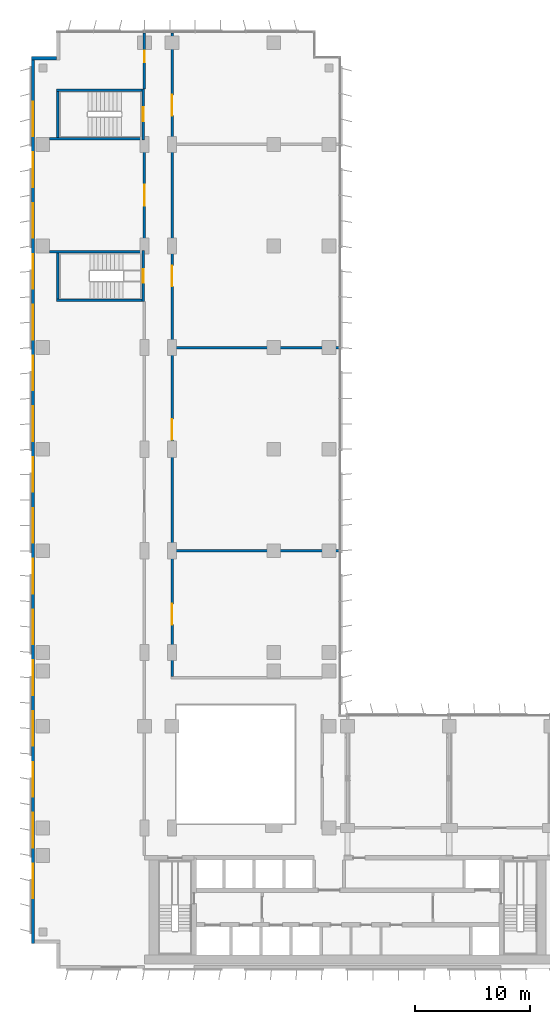
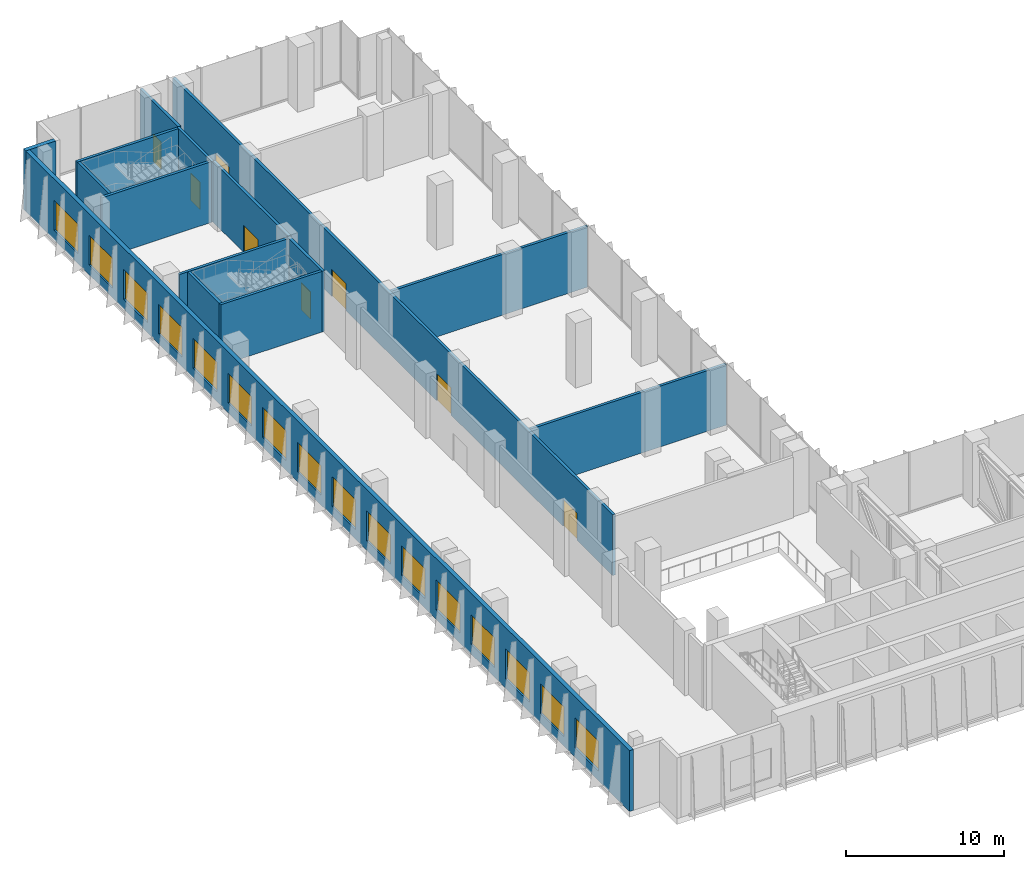
# One storey, part 14 of 21: 16 windows, 15 walls, 8 doors, 24 openings.
"""IFC4 building model written with IfcOpenShell, lengths in metres."""

from ifc_helpers import new_model, si_unit, direction, frame, frame_2d, origin, place, context, subcontext, project, spatial, rectangle, extrude, material, layer, layer_set, type_object, element, fill, save


model = new_model("IFC4")

# Units and contexts
model_context = context("Model", 3, precision=1e-05, world=origin(), true_north=direction((0.0, 1.0)))
body_context = subcontext(model_context, "Body", "Model", "MODEL_VIEW")
ifc_project = project(units=[si_unit("LENGTHUNIT", "METRE"), si_unit("AREAUNIT", "SQUARE_METRE"), si_unit("VOLUMEUNIT", "CUBIC_METRE"), si_unit("PLANEANGLEUNIT", "RADIAN"), si_unit("MASSUNIT", "GRAM", prefix="KILO")], contexts=[model_context])

# Site, building, storey
site_placement = place(None, origin())
site = spatial("IfcSite", under=ifc_project, at=site_placement, CompositionType="ELEMENT")
building_placement = place(site_placement, origin())
building = spatial("IfcBuilding", under=site, at=building_placement, Name="Kemantara Hotel Tower", CompositionType="ELEMENT")
storey_placement = place(building_placement, frame((0.0, 0.0, 133.300048828125)))
storey = spatial("IfcBuildingStorey", under=building, at=storey_placement, Name="L32", CompositionType="ELEMENT", Elevation=133.300048828125)

# Wall
ifc_material_1 = material(Name="Bronze anodised aluminium cladding on insulated steel stud wall", Category="steel")
ifc_layer_1 = layer(ifc_material_1, 0.300048828125)
ifc_layer_set_1 = layer_set([ifc_layer_1], Name="Bronze anodised aluminium cladding on insulated steel stud wall")
wall_type_1 = type_object("IfcWallType", Name="BRONZE METAL-CLAD EXTERNAL WALL 300", PredefinedType="STANDARD", material=ifc_layer_set_1)
wall_1_placement = place(storey_placement, frame((2.199951171875, 78.85009765625, 0.0), z_axis=(0.0, 0.0, 1.0), x_axis=(-1.0, 0.0, 0.0)))
element("IfcWall", 1, at=wall_1_placement, inside=storey, type_object=wall_type_1, Name="EXTERNAL WALL L32 T2-R03", PredefinedType="STANDARD", context=body_context, shape_type="SweptSolid", body=[
    extrude(rectangle(XDim=2.199951171875, YDim=0.300048828125, at=frame_2d((1.10009765625, 0.0))), origin(), (0.0, 0.0, 1.0), 4.699951171875),
])

# Wall, openings, windows
wall_2_placement = place(storey_placement, frame((0.14990234375, 78.699951171875, 0.0), z_axis=(0.0, 0.0, 1.0), x_axis=(0.0, -1.0, 0.0)))
wall_2 = element("IfcWall", 2, at=wall_2_placement, inside=storey, type_object=wall_type_1, Name="EXTERNAL WALL L32 T2-R04", PredefinedType="STANDARD", context=body_context, shape_type="SweptSolid", body=[
    extrude(rectangle(XDim=76.5, YDim=0.300048828125, at=frame_2d((38.25, 0.0))), origin(), (0.0, 0.0, 1.0), 4.699951171875),
])
opening_1_placement = place(wall_2_placement, frame((3.60009765625, 0.0, 0.75)))
opening_1 = element("IfcOpeningElement", 3, at=opening_1_placement, cuts=wall_2, Name="Opening W1", PredefinedType="OPENING", context=body_context, shape_type="SweptSolid", body=[
    extrude(rectangle(XDim=3.0, YDim=2.300048828125, at=frame_2d((1.5, 1.14990234375))), frame((0.0, 0.159912109375, 0.0), z_axis=(0.0, -1.0, 0.0), x_axis=(1.0, 0.0, 0.0)), (0.0, 0.0, 1.0), 0.320068359375),
])
opening_2_placement = place(wall_2_placement, frame((8.0, 0.0, 0.75)))
opening_2 = element("IfcOpeningElement", 4, at=opening_2_placement, cuts=wall_2, Name="Opening W1", PredefinedType="OPENING", context=body_context, shape_type="SweptSolid", body=[
    extrude(rectangle(XDim=3.0, YDim=2.300048828125, at=frame_2d((1.5, 1.14990234375))), frame((0.0, 0.159912109375, 0.0), z_axis=(0.0, -1.0, 0.0), x_axis=(1.0, 0.0, 0.0)), (0.0, 0.0, 1.0), 0.320068359375),
])
opening_3_placement = place(wall_2_placement, frame((12.39990234375, 0.0, 0.75)))
opening_3 = element("IfcOpeningElement", 5, at=opening_3_placement, cuts=wall_2, Name="Opening W1", PredefinedType="OPENING", context=body_context, shape_type="SweptSolid", body=[
    extrude(rectangle(XDim=3.0, YDim=2.300048828125, at=frame_2d((1.5, 1.14990234375))), frame((0.0, 0.159912109375, 0.0), z_axis=(0.0, -1.0, 0.0), x_axis=(1.0, 0.0, 0.0)), (0.0, 0.0, 1.0), 0.320068359375),
])
opening_4_placement = place(wall_2_placement, frame((16.800048828125, 0.0, 0.75)))
opening_4 = element("IfcOpeningElement", 6, at=opening_4_placement, cuts=wall_2, Name="Opening W1", PredefinedType="OPENING", context=body_context, shape_type="SweptSolid", body=[
    extrude(rectangle(XDim=3.0, YDim=2.300048828125, at=frame_2d((1.5, 1.14990234375))), frame((0.0, 0.159912109375, 0.0), z_axis=(0.0, -1.0, 0.0), x_axis=(1.0, 0.0, 0.0)), (0.0, 0.0, 1.0), 0.320068359375),
])
opening_5_placement = place(wall_2_placement, frame((21.199951171875, 0.0, 0.75)))
opening_5 = element("IfcOpeningElement", 7, at=opening_5_placement, cuts=wall_2, Name="Opening W1", PredefinedType="OPENING", context=body_context, shape_type="SweptSolid", body=[
    extrude(rectangle(XDim=3.0, YDim=2.300048828125, at=frame_2d((1.5, 1.14990234375))), frame((0.0, 0.159912109375, 0.0), z_axis=(0.0, -1.0, 0.0), x_axis=(1.0, 0.0, 0.0)), (0.0, 0.0, 1.0), 0.320068359375),
])
opening_6_placement = place(wall_2_placement, frame((25.60009765625, 0.0, 0.75)))
opening_6 = element("IfcOpeningElement", 8, at=opening_6_placement, cuts=wall_2, Name="Opening W1", PredefinedType="OPENING", context=body_context, shape_type="SweptSolid", body=[
    extrude(rectangle(XDim=3.0, YDim=2.300048828125, at=frame_2d((1.5, 1.14990234375))), frame((0.0, 0.159912109375, 0.0), z_axis=(0.0, -1.0, 0.0), x_axis=(1.0, 0.0, 0.0)), (0.0, 0.0, 1.0), 0.320068359375),
])
opening_7_placement = place(wall_2_placement, frame((30.0, 0.0, 0.75)))
opening_7 = element("IfcOpeningElement", 9, at=opening_7_placement, cuts=wall_2, Name="Opening W1", PredefinedType="OPENING", context=body_context, shape_type="SweptSolid", body=[
    extrude(rectangle(XDim=3.0, YDim=2.300048828125, at=frame_2d((1.5, 1.14990234375))), frame((0.0, 0.159912109375, 0.0), z_axis=(0.0, -1.0, 0.0), x_axis=(1.0, 0.0, 0.0)), (0.0, 0.0, 1.0), 0.320068359375),
])
opening_8_placement = place(wall_2_placement, frame((34.39990234375, 0.0, 0.75)))
opening_8 = element("IfcOpeningElement", 10, at=opening_8_placement, cuts=wall_2, Name="Opening W1", PredefinedType="OPENING", context=body_context, shape_type="SweptSolid", body=[
    extrude(rectangle(XDim=3.0, YDim=2.300048828125, at=frame_2d((1.5, 1.14990234375))), frame((0.0, 0.159912109375, 0.0), z_axis=(0.0, -1.0, 0.0), x_axis=(1.0, 0.0, 0.0)), (0.0, 0.0, 1.0), 0.320068359375),
])
opening_9_placement = place(wall_2_placement, frame((38.800048828125, 0.0, 0.75)))
opening_9 = element("IfcOpeningElement", 11, at=opening_9_placement, cuts=wall_2, Name="Opening W1", PredefinedType="OPENING", context=body_context, shape_type="SweptSolid", body=[
    extrude(rectangle(XDim=3.0, YDim=2.300048828125, at=frame_2d((1.5, 1.14990234375))), frame((0.0, 0.159912109375, 0.0), z_axis=(0.0, -1.0, 0.0), x_axis=(1.0, 0.0, 0.0)), (0.0, 0.0, 1.0), 0.320068359375),
])
opening_10_placement = place(wall_2_placement, frame((43.199951171875, 0.0, 0.75)))
opening_10 = element("IfcOpeningElement", 12, at=opening_10_placement, cuts=wall_2, Name="Opening W1", PredefinedType="OPENING", context=body_context, shape_type="SweptSolid", body=[
    extrude(rectangle(XDim=3.0, YDim=2.300048828125, at=frame_2d((1.5, 1.14990234375))), frame((0.0, 0.159912109375, 0.0), z_axis=(0.0, -1.0, 0.0), x_axis=(1.0, 0.0, 0.0)), (0.0, 0.0, 1.0), 0.320068359375),
])
opening_11_placement = place(wall_2_placement, frame((47.60009765625, 0.0, 0.75)))
opening_11 = element("IfcOpeningElement", 13, at=opening_11_placement, cuts=wall_2, Name="Opening W1", PredefinedType="OPENING", context=body_context, shape_type="SweptSolid", body=[
    extrude(rectangle(XDim=3.0, YDim=2.300048828125, at=frame_2d((1.5, 1.14990234375))), frame((0.0, 0.159912109375, 0.0), z_axis=(0.0, -1.0, 0.0), x_axis=(1.0, 0.0, 0.0)), (0.0, 0.0, 1.0), 0.320068359375),
])
opening_12_placement = place(wall_2_placement, frame((52.0, 0.0, 0.75)))
opening_12 = element("IfcOpeningElement", 14, at=opening_12_placement, cuts=wall_2, Name="Opening W1", PredefinedType="OPENING", context=body_context, shape_type="SweptSolid", body=[
    extrude(rectangle(XDim=3.0, YDim=2.300048828125, at=frame_2d((1.5, 1.14990234375))), frame((0.0, 0.159912109375, 0.0), z_axis=(0.0, -1.0, 0.0), x_axis=(1.0, 0.0, 0.0)), (0.0, 0.0, 1.0), 0.320068359375),
])
opening_13_placement = place(wall_2_placement, frame((56.39990234375, 0.0, 0.75)))
opening_13 = element("IfcOpeningElement", 15, at=opening_13_placement, cuts=wall_2, Name="Opening W1", PredefinedType="OPENING", context=body_context, shape_type="SweptSolid", body=[
    extrude(rectangle(XDim=3.0, YDim=2.300048828125, at=frame_2d((1.5, 1.14990234375))), frame((0.0, 0.159912109375, 0.0), z_axis=(0.0, -1.0, 0.0), x_axis=(1.0, 0.0, 0.0)), (0.0, 0.0, 1.0), 0.320068359375),
])
opening_14_placement = place(wall_2_placement, frame((60.800048828125, 0.0, 0.75)))
opening_14 = element("IfcOpeningElement", 16, at=opening_14_placement, cuts=wall_2, Name="Opening W1", PredefinedType="OPENING", context=body_context, shape_type="SweptSolid", body=[
    extrude(rectangle(XDim=3.0, YDim=2.300048828125, at=frame_2d((1.5, 1.14990234375))), frame((0.0, 0.159912109375, 0.0), z_axis=(0.0, -1.0, 0.0), x_axis=(1.0, 0.0, 0.0)), (0.0, 0.0, 1.0), 0.320068359375),
])
opening_15_placement = place(wall_2_placement, frame((65.199951171875, 0.0, 0.75)))
opening_15 = element("IfcOpeningElement", 17, at=opening_15_placement, cuts=wall_2, Name="Opening W1", PredefinedType="OPENING", context=body_context, shape_type="SweptSolid", body=[
    extrude(rectangle(XDim=3.0, YDim=2.300048828125, at=frame_2d((1.5, 1.14990234375))), frame((0.0, 0.159912109375, 0.0), z_axis=(0.0, -1.0, 0.0), x_axis=(1.0, 0.0, 0.0)), (0.0, 0.0, 1.0), 0.320068359375),
])
opening_16_placement = place(wall_2_placement, frame((69.60009765625, 0.0, 0.75)))
opening_16 = element("IfcOpeningElement", 18, at=opening_16_placement, cuts=wall_2, Name="Opening W1", PredefinedType="OPENING", context=body_context, shape_type="SweptSolid", body=[
    extrude(rectangle(XDim=3.0, YDim=2.300048828125, at=frame_2d((1.5, 1.14990234375))), frame((0.0, 0.159912109375, 0.0), z_axis=(0.0, -1.0, 0.0), x_axis=(1.0, 0.0, 0.0)), (0.0, 0.0, 1.0), 0.320068359375),
])
ifc_material_2 = material(Name="Low-E tinted double insulated glass in bronze anodised aluminium frame", Category="aluminium")
window_type = type_object("IfcWindowType", Name="CHICAGO WINDOW, TRIPLE PANEL 3000x2300", PartitioningType="TRIPLE_PANEL_VERTICAL", PredefinedType="WINDOW", material=ifc_material_2)
window_1_placement = place(opening_1_placement, origin())
window_1 = element("IfcWindow", 19, at=window_1_placement, inside=storey, type_object=window_type, Name="CHICAGO WINDOW L32 T2-R04-54", OverallHeight=2.300048828125, OverallWidth=3.0, PartitioningType="SINGLE_PANEL", PredefinedType="WINDOW", context=body_context, shape_type="SweptSolid", body=[
    extrude(rectangle(XDim=3.0, YDim=2.300048828125, at=frame_2d((1.5, 1.14990234375))), frame((0.0, 0.030029296875, 0.0), z_axis=(0.0, -1.0, 0.0), x_axis=(1.0, 0.0, 0.0)), (0.0, 0.0, 1.0), 0.06005859375),
])
fill(opening_1, window_1)
window_2_placement = place(opening_2_placement, origin())
window_2 = element("IfcWindow", 20, at=window_2_placement, inside=storey, type_object=window_type, Name="CHICAGO WINDOW L32 T2-R04-98", OverallHeight=2.300048828125, OverallWidth=3.0, PartitioningType="SINGLE_PANEL", PredefinedType="WINDOW", context=body_context, shape_type="SweptSolid", body=[
    extrude(rectangle(XDim=3.0, YDim=2.300048828125, at=frame_2d((1.5, 1.14990234375))), frame((0.0, 0.030029296875, 0.0), z_axis=(0.0, -1.0, 0.0), x_axis=(1.0, 0.0, 0.0)), (0.0, 0.0, 1.0), 0.06005859375),
])
fill(opening_2, window_2)
window_3_placement = place(opening_3_placement, origin())
window_3 = element("IfcWindow", 21, at=window_3_placement, inside=storey, type_object=window_type, Name="CHICAGO WINDOW L32 T2-R04-142", OverallHeight=2.300048828125, OverallWidth=3.0, PartitioningType="SINGLE_PANEL", PredefinedType="WINDOW", context=body_context, shape_type="SweptSolid", body=[
    extrude(rectangle(XDim=3.0, YDim=2.300048828125, at=frame_2d((1.5, 1.14990234375))), frame((0.0, 0.030029296875, 0.0), z_axis=(0.0, -1.0, 0.0), x_axis=(1.0, 0.0, 0.0)), (0.0, 0.0, 1.0), 0.06005859375),
])
fill(opening_3, window_3)
window_4_placement = place(opening_4_placement, origin())
window_4 = element("IfcWindow", 22, at=window_4_placement, inside=storey, type_object=window_type, Name="CHICAGO WINDOW L32 T2-R04-186", OverallHeight=2.300048828125, OverallWidth=3.0, PartitioningType="SINGLE_PANEL", PredefinedType="WINDOW", context=body_context, shape_type="SweptSolid", body=[
    extrude(rectangle(XDim=3.0, YDim=2.300048828125, at=frame_2d((1.5, 1.14990234375))), frame((0.0, 0.030029296875, 0.0), z_axis=(0.0, -1.0, 0.0), x_axis=(1.0, 0.0, 0.0)), (0.0, 0.0, 1.0), 0.06005859375),
])
fill(opening_4, window_4)
window_5_placement = place(opening_5_placement, origin())
window_5 = element("IfcWindow", 23, at=window_5_placement, inside=storey, type_object=window_type, Name="CHICAGO WINDOW L32 T2-R04-230", OverallHeight=2.300048828125, OverallWidth=3.0, PartitioningType="SINGLE_PANEL", PredefinedType="WINDOW", context=body_context, shape_type="SweptSolid", body=[
    extrude(rectangle(XDim=3.0, YDim=2.300048828125, at=frame_2d((1.5, 1.14990234375))), frame((0.0, 0.030029296875, 0.0), z_axis=(0.0, -1.0, 0.0), x_axis=(1.0, 0.0, 0.0)), (0.0, 0.0, 1.0), 0.06005859375),
])
fill(opening_5, window_5)
window_6_placement = place(opening_6_placement, origin())
window_6 = element("IfcWindow", 24, at=window_6_placement, inside=storey, type_object=window_type, Name="CHICAGO WINDOW L32 T2-R04-274", OverallHeight=2.300048828125, OverallWidth=3.0, PartitioningType="SINGLE_PANEL", PredefinedType="WINDOW", context=body_context, shape_type="SweptSolid", body=[
    extrude(rectangle(XDim=3.0, YDim=2.300048828125, at=frame_2d((1.5, 1.14990234375))), frame((0.0, 0.030029296875, 0.0), z_axis=(0.0, -1.0, 0.0), x_axis=(1.0, 0.0, 0.0)), (0.0, 0.0, 1.0), 0.06005859375),
])
fill(opening_6, window_6)
window_7_placement = place(opening_7_placement, origin())
window_7 = element("IfcWindow", 25, at=window_7_placement, inside=storey, type_object=window_type, Name="CHICAGO WINDOW L32 T2-R04-318", OverallHeight=2.300048828125, OverallWidth=3.0, PartitioningType="SINGLE_PANEL", PredefinedType="WINDOW", context=body_context, shape_type="SweptSolid", body=[
    extrude(rectangle(XDim=3.0, YDim=2.300048828125, at=frame_2d((1.5, 1.14990234375))), frame((0.0, 0.030029296875, 0.0), z_axis=(0.0, -1.0, 0.0), x_axis=(1.0, 0.0, 0.0)), (0.0, 0.0, 1.0), 0.06005859375),
])
fill(opening_7, window_7)
window_8_placement = place(opening_8_placement, origin())
window_8 = element("IfcWindow", 26, at=window_8_placement, inside=storey, type_object=window_type, Name="CHICAGO WINDOW L32 T2-R04-362", OverallHeight=2.300048828125, OverallWidth=3.0, PartitioningType="SINGLE_PANEL", PredefinedType="WINDOW", context=body_context, shape_type="SweptSolid", body=[
    extrude(rectangle(XDim=3.0, YDim=2.300048828125, at=frame_2d((1.5, 1.14990234375))), frame((0.0, 0.030029296875, 0.0), z_axis=(0.0, -1.0, 0.0), x_axis=(1.0, 0.0, 0.0)), (0.0, 0.0, 1.0), 0.06005859375),
])
fill(opening_8, window_8)
window_9_placement = place(opening_9_placement, origin())
window_9 = element("IfcWindow", 27, at=window_9_placement, inside=storey, type_object=window_type, Name="CHICAGO WINDOW L32 T2-R04-406", OverallHeight=2.300048828125, OverallWidth=3.0, PartitioningType="SINGLE_PANEL", PredefinedType="WINDOW", context=body_context, shape_type="SweptSolid", body=[
    extrude(rectangle(XDim=3.0, YDim=2.300048828125, at=frame_2d((1.5, 1.14990234375))), frame((0.0, 0.030029296875, 0.0), z_axis=(0.0, -1.0, 0.0), x_axis=(1.0, 0.0, 0.0)), (0.0, 0.0, 1.0), 0.06005859375),
])
fill(opening_9, window_9)
window_10_placement = place(opening_10_placement, origin())
window_10 = element("IfcWindow", 28, at=window_10_placement, inside=storey, type_object=window_type, Name="CHICAGO WINDOW L32 T2-R04-450", OverallHeight=2.300048828125, OverallWidth=3.0, PartitioningType="SINGLE_PANEL", PredefinedType="WINDOW", context=body_context, shape_type="SweptSolid", body=[
    extrude(rectangle(XDim=3.0, YDim=2.300048828125, at=frame_2d((1.5, 1.14990234375))), frame((0.0, 0.030029296875, 0.0), z_axis=(0.0, -1.0, 0.0), x_axis=(1.0, 0.0, 0.0)), (0.0, 0.0, 1.0), 0.06005859375),
])
fill(opening_10, window_10)
window_11_placement = place(opening_11_placement, origin())
window_11 = element("IfcWindow", 29, at=window_11_placement, inside=storey, type_object=window_type, Name="CHICAGO WINDOW L32 T2-R04-494", OverallHeight=2.300048828125, OverallWidth=3.0, PartitioningType="SINGLE_PANEL", PredefinedType="WINDOW", context=body_context, shape_type="SweptSolid", body=[
    extrude(rectangle(XDim=3.0, YDim=2.300048828125, at=frame_2d((1.5, 1.14990234375))), frame((0.0, 0.030029296875, 0.0), z_axis=(0.0, -1.0, 0.0), x_axis=(1.0, 0.0, 0.0)), (0.0, 0.0, 1.0), 0.06005859375),
])
fill(opening_11, window_11)
window_12_placement = place(opening_12_placement, origin())
window_12 = element("IfcWindow", 30, at=window_12_placement, inside=storey, type_object=window_type, Name="CHICAGO WINDOW L32 T2-R04-538", OverallHeight=2.300048828125, OverallWidth=3.0, PartitioningType="SINGLE_PANEL", PredefinedType="WINDOW", context=body_context, shape_type="SweptSolid", body=[
    extrude(rectangle(XDim=3.0, YDim=2.300048828125, at=frame_2d((1.5, 1.14990234375))), frame((0.0, 0.030029296875, 0.0), z_axis=(0.0, -1.0, 0.0), x_axis=(1.0, 0.0, 0.0)), (0.0, 0.0, 1.0), 0.06005859375),
])
fill(opening_12, window_12)
window_13_placement = place(opening_13_placement, origin())
window_13 = element("IfcWindow", 31, at=window_13_placement, inside=storey, type_object=window_type, Name="CHICAGO WINDOW L32 T2-R04-582", OverallHeight=2.300048828125, OverallWidth=3.0, PartitioningType="SINGLE_PANEL", PredefinedType="WINDOW", context=body_context, shape_type="SweptSolid", body=[
    extrude(rectangle(XDim=3.0, YDim=2.300048828125, at=frame_2d((1.5, 1.14990234375))), frame((0.0, 0.030029296875, 0.0), z_axis=(0.0, -1.0, 0.0), x_axis=(1.0, 0.0, 0.0)), (0.0, 0.0, 1.0), 0.06005859375),
])
fill(opening_13, window_13)
window_14_placement = place(opening_14_placement, origin())
window_14 = element("IfcWindow", 32, at=window_14_placement, inside=storey, type_object=window_type, Name="CHICAGO WINDOW L32 T2-R04-626", OverallHeight=2.300048828125, OverallWidth=3.0, PartitioningType="SINGLE_PANEL", PredefinedType="WINDOW", context=body_context, shape_type="SweptSolid", body=[
    extrude(rectangle(XDim=3.0, YDim=2.300048828125, at=frame_2d((1.5, 1.14990234375))), frame((0.0, 0.030029296875, 0.0), z_axis=(0.0, -1.0, 0.0), x_axis=(1.0, 0.0, 0.0)), (0.0, 0.0, 1.0), 0.06005859375),
])
fill(opening_14, window_14)
window_15_placement = place(opening_15_placement, origin())
window_15 = element("IfcWindow", 33, at=window_15_placement, inside=storey, type_object=window_type, Name="CHICAGO WINDOW L32 T2-R04-670", OverallHeight=2.300048828125, OverallWidth=3.0, PartitioningType="SINGLE_PANEL", PredefinedType="WINDOW", context=body_context, shape_type="SweptSolid", body=[
    extrude(rectangle(XDim=3.0, YDim=2.300048828125, at=frame_2d((1.5, 1.14990234375))), frame((0.0, 0.030029296875, 0.0), z_axis=(0.0, -1.0, 0.0), x_axis=(1.0, 0.0, 0.0)), (0.0, 0.0, 1.0), 0.06005859375),
])
fill(opening_15, window_15)
window_16_placement = place(opening_16_placement, origin())
window_16 = element("IfcWindow", 34, at=window_16_placement, inside=storey, type_object=window_type, Name="CHICAGO WINDOW L32 T2-R04-714", OverallHeight=2.300048828125, OverallWidth=3.0, PartitioningType="SINGLE_PANEL", PredefinedType="WINDOW", context=body_context, shape_type="SweptSolid", body=[
    extrude(rectangle(XDim=3.0, YDim=2.300048828125, at=frame_2d((1.5, 1.14990234375))), frame((0.0, 0.030029296875, 0.0), z_axis=(0.0, -1.0, 0.0), x_axis=(1.0, 0.0, 0.0)), (0.0, 0.0, 1.0), 0.06005859375),
])
fill(opening_16, window_16)

# Wall, opening, door
ifc_material_3 = material(Name="Concrete fc 40 MPa", Category="concrete")
ifc_layer_2 = layer(ifc_material_3, 0.199951171875)
ifc_layer_set_2 = layer_set([ifc_layer_2], Name="Concrete fc 40 MPa")
wall_type_2 = type_object("IfcWallType", Name="Concrete stair wall 200 mm", PredefinedType="SHEAR", material=ifc_layer_set_2)
wall_3_placement = place(storey_placement, frame((9.699951171875, 57.800048828125, 0.0), z_axis=(0.0, 0.0, 1.0), x_axis=(0.0, 1.0, 0.0)))
wall_3 = element("IfcWall", 35, at=wall_3_placement, inside=storey, type_object=wall_type_2, Name="Stair ST4 enclosure wall with door", PredefinedType="SHEAR", context=body_context, shape_type="SweptSolid", body=[
    extrude(rectangle(XDim=4.39990234375, YDim=0.199951171875, at=frame_2d((2.199951171875, 0.0))), origin(), (0.0, 0.0, 1.0), 4.699951171875),
])
opening_17_placement = place(wall_3_placement, frame((1.60009765625, 0.0, 0.0)))
opening_17 = element("IfcOpeningElement", 36, at=opening_17_placement, cuts=wall_3, Name="Opening ST4-C", PredefinedType="OPENING", context=body_context, shape_type="SweptSolid", body=[
    extrude(rectangle(XDim=1.199951171875, YDim=2.10009765625, at=frame_2d((0.60009765625, 1.050048828125))), frame((0.0, 0.10986328125, 0.0), z_axis=(0.0, -1.0, 0.0), x_axis=(1.0, 0.0, 0.0)), (0.0, 0.0, 1.0), 0.219970703125),
])
ifc_material_4 = material(Name="Steel fire door", Category="steel")
door_type_1 = type_object("IfcDoorType", Name="Fire door FD90 1200 x 2100", OperationType="NOTDEFINED", PredefinedType="DOOR", material=ifc_material_4)
door_1_placement = place(opening_17_placement, origin())
door_1 = element("IfcDoor", 37, at=door_1_placement, inside=storey, type_object=door_type_1, Name="Stair ST4 door", OperationType="SINGLE_SWING_RIGHT", OverallHeight=2.10009765625, OverallWidth=1.199951171875, PredefinedType="DOOR", context=body_context, shape_type="SweptSolid", body=[
    extrude(rectangle(XDim=1.199951171875, YDim=2.10009765625, at=frame_2d((0.60009765625, 1.050048828125))), frame((0.0, 0.02490234375, 0.0), z_axis=(0.0, -1.0, 0.0), x_axis=(1.0, 0.0, 0.0)), (0.0, 0.0, 1.0), 0.050048828125),
])
fill(opening_17, door_1)

# Walls
wall_4_placement = place(storey_placement, frame((1.60009765625, 62.10009765625, 0.0), z_axis=(0.0, 0.0, 1.0), x_axis=(1.0, 0.0, 0.0)))
element("IfcWall", 38, at=wall_4_placement, inside=storey, type_object=wall_type_2, Name="Stair ST4 enclosure wall N", PredefinedType="SHEAR", context=body_context, shape_type="SweptSolid", body=[
    extrude(rectangle(XDim=8.0, YDim=0.199951171875, at=frame_2d((4.0, 0.0))), origin(), (0.0, 0.0, 1.0), 4.699951171875),
])
wall_5_placement = place(storey_placement, frame((2.199951171875, 57.89990234375, 0.0), z_axis=(0.0, 0.0, 1.0), x_axis=(1.0, 0.0, 0.0)))
element("IfcWall", 39, at=wall_5_placement, inside=storey, type_object=wall_type_2, Name="Stair ST4 enclosure wall S", PredefinedType="SHEAR", context=body_context, shape_type="SweptSolid", body=[
    extrude(rectangle(XDim=7.400146484375, YDim=0.199951171875, at=frame_2d((3.7001953125, 0.0))), origin(), (0.0, 0.0, 1.0), 4.699951171875),
])
wall_6_placement = place(storey_placement, frame((2.300048828125, 58.0, 0.0), z_axis=(0.0, 0.0, 1.0), x_axis=(0.0, 1.0, 0.0)))
element("IfcWall", 40, at=wall_6_placement, inside=storey, type_object=wall_type_2, Name="Stair ST4 enclosure wall W", PredefinedType="SHEAR", context=body_context, shape_type="SweptSolid", body=[
    extrude(rectangle(XDim=4.0, YDim=0.199951171875, at=frame_2d((2.0, 0.0))), origin(), (0.0, 0.0, 1.0), 4.699951171875),
])

# Wall, opening, door
wall_7_placement = place(storey_placement, frame((9.699951171875, 71.800048828125, 0.0), z_axis=(0.0, 0.0, 1.0), x_axis=(0.0, 1.0, 0.0)))
wall_7 = element("IfcWall", 41, at=wall_7_placement, inside=storey, type_object=wall_type_2, Name="Stair ST6 enclosure wall with door", PredefinedType="SHEAR", context=body_context, shape_type="SweptSolid", body=[
    extrude(rectangle(XDim=4.39990234375, YDim=0.199951171875, at=frame_2d((2.199951171875, 0.0))), origin(), (0.0, 0.0, 1.0), 4.699951171875),
])
opening_18_placement = place(wall_7_placement, frame((1.60009765625, 0.0, 0.0)))
opening_18 = element("IfcOpeningElement", 42, at=opening_18_placement, cuts=wall_7, Name="Opening ST6-C", PredefinedType="OPENING", context=body_context, shape_type="SweptSolid", body=[
    extrude(rectangle(XDim=1.199951171875, YDim=2.10009765625, at=frame_2d((0.60009765625, 1.050048828125))), frame((0.0, 0.10986328125, 0.0), z_axis=(0.0, -1.0, 0.0), x_axis=(1.0, 0.0, 0.0)), (0.0, 0.0, 1.0), 0.219970703125),
])
door_2_placement = place(opening_18_placement, origin())
door_2 = element("IfcDoor", 43, at=door_2_placement, inside=storey, type_object=door_type_1, Name="Stair ST6 door", OperationType="SINGLE_SWING_RIGHT", OverallHeight=2.10009765625, OverallWidth=1.199951171875, PredefinedType="DOOR", context=body_context, shape_type="SweptSolid", body=[
    extrude(rectangle(XDim=1.199951171875, YDim=2.10009765625, at=frame_2d((0.60009765625, 1.050048828125))), frame((0.0, 0.02490234375, 0.0), z_axis=(0.0, -1.0, 0.0), x_axis=(1.0, 0.0, 0.0)), (0.0, 0.0, 1.0), 0.050048828125),
])
fill(opening_18, door_2)

# Walls
wall_8_placement = place(storey_placement, frame((2.199951171875, 76.10009765625, 0.0), z_axis=(0.0, 0.0, 1.0), x_axis=(1.0, 0.0, 0.0)))
element("IfcWall", 44, at=wall_8_placement, inside=storey, type_object=wall_type_2, Name="Stair ST6 enclosure wall N", PredefinedType="SHEAR", context=body_context, shape_type="SweptSolid", body=[
    extrude(rectangle(XDim=7.400146484375, YDim=0.199951171875, at=frame_2d((3.7001953125, 0.0))), origin(), (0.0, 0.0, 1.0), 4.699951171875),
])
wall_9_placement = place(storey_placement, frame((1.60009765625, 71.89990234375, 0.0), z_axis=(0.0, 0.0, 1.0), x_axis=(1.0, 0.0, 0.0)))
element("IfcWall", 45, at=wall_9_placement, inside=storey, type_object=wall_type_2, Name="Stair ST6 enclosure wall S", PredefinedType="SHEAR", context=body_context, shape_type="SweptSolid", body=[
    extrude(rectangle(XDim=8.0, YDim=0.199951171875, at=frame_2d((4.0, 0.0))), origin(), (0.0, 0.0, 1.0), 4.699951171875),
])
wall_10_placement = place(storey_placement, frame((2.300048828125, 72.0, 0.0), z_axis=(0.0, 0.0, 1.0), x_axis=(0.0, 1.0, 0.0)))
element("IfcWall", 46, at=wall_10_placement, inside=storey, type_object=wall_type_2, Name="Stair ST6 enclosure wall W", PredefinedType="SHEAR", context=body_context, shape_type="SweptSolid", body=[
    extrude(rectangle(XDim=4.0, YDim=0.199951171875, at=frame_2d((2.0, 0.0))), origin(), (0.0, 0.0, 1.0), 4.699951171875),
])
ifc_material_5 = material(Name="Clay brick masonry", Category="masonry")
ifc_layer_3 = layer(ifc_material_5, 0.199951171875)
ifc_layer_set_3 = layer_set([ifc_layer_3], Name="Clay brick masonry")
wall_type_3 = type_object("IfcWallType", Name="FIRE-RATED CLAY BRICK WALL 200 EI 120", PredefinedType="PARTITIONING", material=ifc_layer_set_3)
for number, where, z_axis, x_axis, name in (
    (47, (12.300048828125, 36.199951171875, 0.0), (0.0, 0.0, 1.0), (1.0, 0.0, 0.0), "FIRE WALL"),
    (48, (12.300048828125, 53.800048828125, 0.0), (0.0, 0.0, 1.0), (1.0, 0.0, 0.0), "FIRE WALL"),
):
    element("IfcWall", number, at=place(storey_placement, frame(where, z_axis=z_axis, x_axis=x_axis)), inside=storey, type_object=wall_type_3, Name=name, PredefinedType="PARTITIONING", context=body_context, shape_type="SweptSolid", body=[
        extrude(rectangle(XDim=14.349853515625, YDim=0.199951171875, at=frame_2d((7.1748046875, 0.0))), origin(), (0.0, 0.0, 1.0), 4.699951171875),
    ])

# Wall, opening, door
ifc_material_6 = material(Name="Fire-rated gypsum board partition")
ifc_layer_4 = layer(ifc_material_6, 0.199951171875)
ifc_layer_set_4 = layer_set([ifc_layer_4], Name="Fire-rated gypsum board partition")
wall_type_4 = type_object("IfcWallType", Name="FIRE-RATED GYPSUM PARTITION 200 EI 60", PredefinedType="PARTITIONING", material=ifc_layer_set_4)
wall_11_placement = place(storey_placement, frame((9.800048828125, 62.199951171875, 0.0), z_axis=(0.0, 0.0, 1.0), x_axis=(0.0, 1.0, 0.0)))
wall_11 = element("IfcWall", 49, at=wall_11_placement, inside=storey, type_object=wall_type_4, Name="FIRE-RATED PARTITION", PredefinedType="PARTITIONING", context=body_context, shape_type="SweptSolid", body=[
    extrude(rectangle(XDim=9.60009765625, YDim=0.199951171875, at=frame_2d((4.800048828125, 0.0))), origin(), (0.0, 0.0, 1.0), 4.699951171875),
])
opening_19_placement = place(wall_11_placement, frame((3.89990234375, 0.0, 0.0)))
opening_19 = element("IfcOpeningElement", 50, at=opening_19_placement, cuts=wall_11, Name="Opening L32-B012", PredefinedType="OPENING", context=body_context, shape_type="SweptSolid", body=[
    extrude(rectangle(XDim=1.800048828125, YDim=2.10009765625, at=frame_2d((0.89990234375, 1.050048828125))), frame((0.0, 0.10986328125, 0.0), z_axis=(0.0, -1.0, 0.0), x_axis=(1.0, 0.0, 0.0)), (0.0, 0.0, 1.0), 0.219970703125),
])
ifc_material_7 = material(Name="Galvanised steel door leaf", Category="steel")
door_type_2 = type_object("IfcDoorType", Name="FIRE-RATED STEEL DOOR DOUBLE LEAF 1800 X 2100", OperationType="DOUBLE_DOOR_SINGLE_SWING", PredefinedType="DOOR", material=ifc_material_7)
door_3_placement = place(opening_19_placement, frame((1.800048828125, 0.0, 0.0), z_axis=(0.0, 0.0, 1.0), x_axis=(-1.0, 0.0, 0.0)))
door_3 = element("IfcDoor", 51, at=door_3_placement, inside=storey, type_object=door_type_2, Name="FIRE-RATED STEEL DOOR DOUBLE LEAF", OperationType="DOUBLE_DOOR_SINGLE_SWING", OverallHeight=2.10009765625, OverallWidth=1.800048828125, PredefinedType="DOOR", context=body_context, shape_type="SweptSolid", body=[
    extrude(rectangle(XDim=1.800048828125, YDim=2.10009765625, at=frame_2d((0.89990234375, 1.050048828125))), frame((0.0, 0.02490234375, 0.0), z_axis=(0.0, -1.0, 0.0), x_axis=(1.0, 0.0, 0.0)), (0.0, 0.0, 1.0), 0.050048828125),
])
fill(opening_19, door_3)

wall_12_placement = place(storey_placement, frame((9.800048828125, 76.199951171875, 0.0), z_axis=(0.0, 0.0, 1.0), x_axis=(0.0, 1.0, 0.0)))
wall_12 = element("IfcWall", 52, at=wall_12_placement, inside=storey, type_object=wall_type_4, Name="FIRE-RATED PARTITION", PredefinedType="PARTITIONING", context=body_context, shape_type="SweptSolid", body=[
    extrude(rectangle(XDim=4.85009765625, YDim=0.199951171875, at=frame_2d((2.425048828125, 0.0))), origin(), (0.0, 0.0, 1.0), 4.699951171875),
])
opening_20_placement = place(wall_12_placement, frame((2.300048828125, 0.0, 0.0)))
opening_20 = element("IfcOpeningElement", 53, at=opening_20_placement, cuts=wall_12, Name="Opening L32-B013", PredefinedType="OPENING", context=body_context, shape_type="SweptSolid", body=[
    extrude(rectangle(XDim=1.0, YDim=2.10009765625, at=frame_2d((0.5, 1.050048828125))), frame((0.0, 0.10986328125, 0.0), z_axis=(0.0, -1.0, 0.0), x_axis=(1.0, 0.0, 0.0)), (0.0, 0.0, 1.0), 0.219970703125),
])
door_type_3 = type_object("IfcDoorType", Name="FIRE-RATED STEEL DOOR 1000 X 2100", OperationType="SINGLE_SWING_LEFT", PredefinedType="DOOR", material=ifc_material_7)
door_4_placement = place(opening_20_placement, frame((1.0, 0.0, 0.0), z_axis=(0.0, 0.0, 1.0), x_axis=(-1.0, 0.0, 0.0)))
door_4 = element("IfcDoor", 54, at=door_4_placement, inside=storey, type_object=door_type_3, Name="FIRE-RATED STEEL DOOR", OperationType="SINGLE_SWING_LEFT", OverallHeight=2.10009765625, OverallWidth=1.0, PredefinedType="DOOR", context=body_context, shape_type="SweptSolid", body=[
    extrude(rectangle(XDim=1.0, YDim=2.10009765625, at=frame_2d((0.5, 1.050048828125))), frame((0.0, 0.02490234375, 0.0), z_axis=(0.0, -1.0, 0.0), x_axis=(1.0, 0.0, 0.0)), (0.0, 0.0, 1.0), 0.050048828125),
])
fill(opening_20, door_4)

# Wall, openings, doors
wall_13_placement = place(storey_placement, frame((12.199951171875, 25.300048828125, 0.0), z_axis=(0.0, 0.0, 1.0), x_axis=(0.0, 1.0, 0.0)))
wall_13 = element("IfcWall", 55, at=wall_13_placement, inside=storey, type_object=wall_type_4, Name="FIRE-RATED PARTITION", PredefinedType="PARTITIONING", context=body_context, shape_type="SweptSolid", body=[
    extrude(rectangle(XDim=55.75, YDim=0.199951171875, at=frame_2d((27.875, 0.0))), origin(), (0.0, 0.0, 1.0), 4.699951171875),
])
opening_21_placement = place(wall_13_placement, frame((4.5, 0.0, 0.0)))
opening_21 = element("IfcOpeningElement", 56, at=opening_21_placement, cuts=wall_13, Name="Opening L32-B007", PredefinedType="OPENING", context=body_context, shape_type="SweptSolid", body=[
    extrude(rectangle(XDim=1.800048828125, YDim=2.10009765625, at=frame_2d((0.89990234375, 1.050048828125))), frame((0.0, 0.10986328125, 0.0), z_axis=(0.0, -1.0, 0.0), x_axis=(1.0, 0.0, 0.0)), (0.0, 0.0, 1.0), 0.219970703125),
])
opening_22_placement = place(wall_13_placement, frame((20.5, 0.0, 0.0)))
opening_22 = element("IfcOpeningElement", 57, at=opening_22_placement, cuts=wall_13, Name="Opening L32-B008", PredefinedType="OPENING", context=body_context, shape_type="SweptSolid", body=[
    extrude(rectangle(XDim=1.800048828125, YDim=2.10009765625, at=frame_2d((0.89990234375, 1.050048828125))), frame((0.0, 0.10986328125, 0.0), z_axis=(0.0, -1.0, 0.0), x_axis=(1.0, 0.0, 0.0)), (0.0, 0.0, 1.0), 0.219970703125),
])
opening_23_placement = place(wall_13_placement, frame((33.800048828125, 0.0, 0.0)))
opening_23 = element("IfcOpeningElement", 58, at=opening_23_placement, cuts=wall_13, Name="Opening L32-B009", PredefinedType="OPENING", context=body_context, shape_type="SweptSolid", body=[
    extrude(rectangle(XDim=1.800048828125, YDim=2.10009765625, at=frame_2d((0.89990234375, 1.050048828125))), frame((0.0, 0.10986328125, 0.0), z_axis=(0.0, -1.0, 0.0), x_axis=(1.0, 0.0, 0.0)), (0.0, 0.0, 1.0), 0.219970703125),
])
opening_24_placement = place(wall_13_placement, frame((48.60009765625, 0.0, 0.0)))
opening_24 = element("IfcOpeningElement", 59, at=opening_24_placement, cuts=wall_13, Name="Opening L32-B010", PredefinedType="OPENING", context=body_context, shape_type="SweptSolid", body=[
    extrude(rectangle(XDim=1.800048828125, YDim=2.10009765625, at=frame_2d((0.89990234375, 1.050048828125))), frame((0.0, 0.10986328125, 0.0), z_axis=(0.0, -1.0, 0.0), x_axis=(1.0, 0.0, 0.0)), (0.0, 0.0, 1.0), 0.219970703125),
])
door_5_placement = place(opening_21_placement, origin())
door_5 = element("IfcDoor", 60, at=door_5_placement, inside=storey, type_object=door_type_2, Name="FIRE-RATED STEEL DOOR DOUBLE LEAF", OperationType="DOUBLE_DOOR_SINGLE_SWING", OverallHeight=2.10009765625, OverallWidth=1.800048828125, PredefinedType="DOOR", context=body_context, shape_type="SweptSolid", body=[
    extrude(rectangle(XDim=1.800048828125, YDim=2.10009765625, at=frame_2d((0.89990234375, 1.050048828125))), frame((0.0, 0.02490234375, 0.0), z_axis=(0.0, -1.0, 0.0), x_axis=(1.0, 0.0, 0.0)), (0.0, 0.0, 1.0), 0.050048828125),
])
fill(opening_21, door_5)
door_6_placement = place(opening_22_placement, origin())
door_6 = element("IfcDoor", 61, at=door_6_placement, inside=storey, type_object=door_type_2, Name="FIRE-RATED STEEL DOOR DOUBLE LEAF", OperationType="DOUBLE_DOOR_SINGLE_SWING", OverallHeight=2.10009765625, OverallWidth=1.800048828125, PredefinedType="DOOR", context=body_context, shape_type="SweptSolid", body=[
    extrude(rectangle(XDim=1.800048828125, YDim=2.10009765625, at=frame_2d((0.89990234375, 1.050048828125))), frame((0.0, 0.02490234375, 0.0), z_axis=(0.0, -1.0, 0.0), x_axis=(1.0, 0.0, 0.0)), (0.0, 0.0, 1.0), 0.050048828125),
])
fill(opening_22, door_6)
door_7_placement = place(opening_23_placement, origin())
door_7 = element("IfcDoor", 62, at=door_7_placement, inside=storey, type_object=door_type_2, Name="FIRE-RATED STEEL DOOR DOUBLE LEAF", OperationType="DOUBLE_DOOR_SINGLE_SWING", OverallHeight=2.10009765625, OverallWidth=1.800048828125, PredefinedType="DOOR", context=body_context, shape_type="SweptSolid", body=[
    extrude(rectangle(XDim=1.800048828125, YDim=2.10009765625, at=frame_2d((0.89990234375, 1.050048828125))), frame((0.0, 0.02490234375, 0.0), z_axis=(0.0, -1.0, 0.0), x_axis=(1.0, 0.0, 0.0)), (0.0, 0.0, 1.0), 0.050048828125),
])
fill(opening_23, door_7)
door_8_placement = place(opening_24_placement, origin())
door_8 = element("IfcDoor", 63, at=door_8_placement, inside=storey, type_object=door_type_2, Name="FIRE-RATED STEEL DOOR DOUBLE LEAF", OperationType="DOUBLE_DOOR_SINGLE_SWING", OverallHeight=2.10009765625, OverallWidth=1.800048828125, PredefinedType="DOOR", context=body_context, shape_type="SweptSolid", body=[
    extrude(rectangle(XDim=1.800048828125, YDim=2.10009765625, at=frame_2d((0.89990234375, 1.050048828125))), frame((0.0, 0.02490234375, 0.0), z_axis=(0.0, -1.0, 0.0), x_axis=(1.0, 0.0, 0.0)), (0.0, 0.0, 1.0), 0.050048828125),
])
fill(opening_24, door_8)

save(model, "model.ifc")
